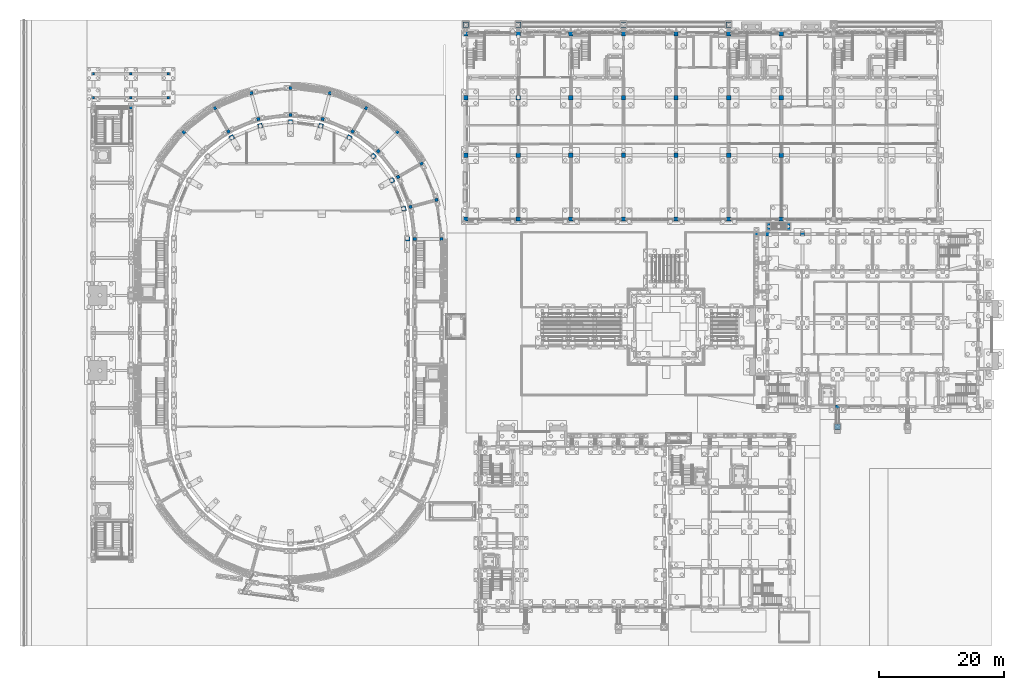
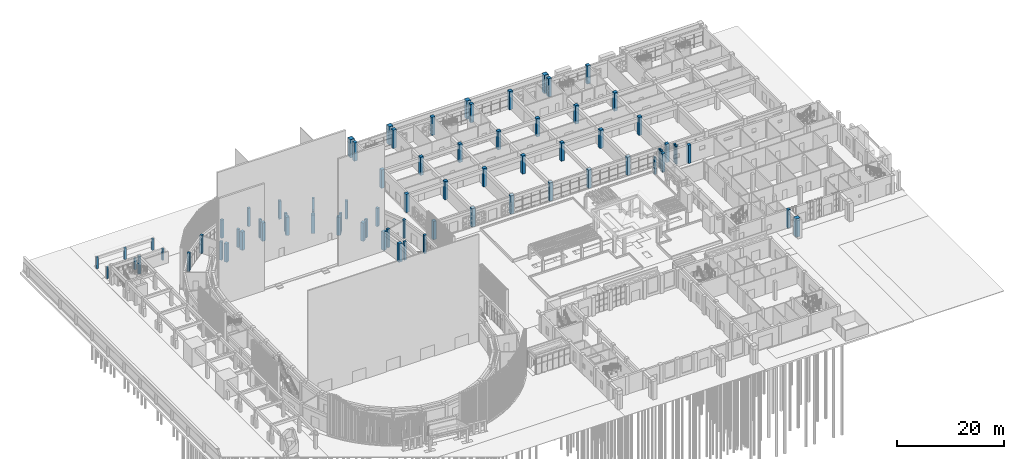
# One storey, part 13 of 112: 76 columns.
"""IFC4 building model written with IfcOpenShell, lengths in metres."""

from ifc_helpers import new_model, si_unit, direction, frame, origin, origin_2d, place, context, subcontext, project, spatial, rectangle, circle, extrude, material, material_profile, profile_set, type_object, element, save


model = new_model("IFC4")

# Units and contexts
model_context = context("Model", 3, precision=1e-05, world=origin(), true_north=direction((0.0, 1.0)))
body_context = subcontext(model_context, "Body", "Model", "MODEL_VIEW")
ifc_project = project(units=[si_unit("LENGTHUNIT", "METRE"), si_unit("AREAUNIT", "SQUARE_METRE"), si_unit("VOLUMEUNIT", "CUBIC_METRE"), si_unit("PLANEANGLEUNIT", "RADIAN"), si_unit("MASSUNIT", "GRAM", prefix="KILO")], contexts=[model_context])

# Site, building, storey
site_placement = place(None, origin())
site = spatial("IfcSite", under=ifc_project, at=site_placement, CompositionType="ELEMENT")
building_placement = place(site_placement, origin())
building = spatial("IfcBuilding", under=site, at=building_placement, Name="Wasatch Bagh Community Centre", CompositionType="ELEMENT")
storey_placement = place(building_placement, origin())
storey = spatial("IfcBuildingStorey", under=building, at=storey_placement, Name="L00", CompositionType="ELEMENT", Elevation=0.0)

# Columns
ifc_material = material(Name="Concrete C40", Category="concrete")
ifc_material_profile_1 = material_profile(ifc_material, rectangle(XDim=0.449951171875, YDim=0.449951171875, at=origin_2d()), Name="RC 450x450")
ifc_profile_set_1 = profile_set([ifc_material_profile_1], Name="Concrete C40")
column_type_1 = type_object("IfcColumnType", Name="CL-C1", PredefinedType="COLUMN", material=ifc_profile_set_1)
column_1_placement = place(storey_placement, frame((110.449951171875, 65.800048828125, 0.0), z_axis=(0.0, 0.0, 1.0), x_axis=(1.0, 0.0, 0.0)))
element("IfcColumn", 1, at=column_1_placement, inside=storey, type_object=column_type_1, Name="CL-C1 arcade column SH 3", PredefinedType="COLUMN", context=body_context, shape_type="SweptSolid", body=[
    extrude(rectangle(XDim=0.449951171875, YDim=0.449951171875, at=origin_2d()), origin(), (0.0, 0.0, 1.0), 3.85009765625),
])
ifc_material_profile_2 = material_profile(ifc_material, rectangle(XDim=0.89990234375, YDim=0.89990234375, at=origin_2d()), Name="RC 900x900")
ifc_profile_set_2 = profile_set([ifc_material_profile_2], Name="Concrete C40")
column_type_2 = type_object("IfcColumnType", Name="CL-P1", PredefinedType="COLUMN", material=ifc_profile_set_2)
for number, where, z_axis, x_axis, name in (
    (2, (123.39990234375, 35.0, 0.0), (0.0, 0.0, 1.0), (1.0, 0.0, 0.0), "CL-P1 pier SHP1"),
    (3, (64.0, 99.25, 0.0), (0.0, 0.0, 1.0), (1.0, 0.0, 0.0), "CL-P1 pier LWP01"),
    (4, (72.39990234375, 99.25, 0.0), (0.0, 0.0, 1.0), (1.0, 0.0, 0.0), "CL-P1 pier LWP02"),
    (5, (89.199951171875, 99.25, 0.0), (0.0, 0.0, 1.0), (1.0, 0.0, 0.0), "CL-P1 pier LWP03"),
    (6, (106.0, 99.25, 0.0), (0.0, 0.0, 1.0), (1.0, 0.0, 0.0), "CL-P1 pier LWP04"),
):
    element("IfcColumn", number, at=place(storey_placement, frame(where, z_axis=z_axis, x_axis=x_axis)), inside=storey, type_object=column_type_2, Name=name, PredefinedType="COLUMN", context=body_context, shape_type="SweptSolid", body=[
        extrude(rectangle(XDim=0.89990234375, YDim=0.89990234375, at=origin_2d()), origin(), (0.0, 0.0, 1.0), 4.199951171875),
    ])
ifc_material_profile_3 = material_profile(ifc_material, rectangle(XDim=0.5, YDim=0.5, at=origin_2d()), Name="RC 500x500")
ifc_profile_set_3 = profile_set([ifc_material_profile_3], Name="Concrete C40")
column_type_3 = type_object("IfcColumnType", Name="CT-C1", PredefinedType="COLUMN", material=ifc_profile_set_3)
column_2_placement = place(storey_placement, frame((10.5, 86.0, 0.0), z_axis=(0.0, 0.0, 1.0), x_axis=(1.0, 0.0, 0.0)))
element("IfcColumn", 7, at=column_2_placement, inside=storey, type_object=column_type_3, Name="CT-C1 column 13.2", PredefinedType="COLUMN", context=body_context, shape_type="SweptSolid", body=[
    extrude(rectangle(XDim=0.5, YDim=0.5, at=origin_2d()), origin(), (0.0, 0.0, 1.0), 3.949951171875),
])
ifc_material_profile_4 = material_profile(ifc_material, rectangle(XDim=0.5, YDim=0.5, at=origin_2d()), Name="RC 500x500")
ifc_profile_set_4 = profile_set([ifc_material_profile_4], Name="Concrete C40")
column_type_4 = type_object("IfcColumnType", Name="Drum column RC 500x500", PredefinedType="COLUMN", material=ifc_profile_set_4)
for number, where, z_axis, x_axis, name in (
    (8, (55.85009765625, 65.0, 0.0), (0.0, 0.0, 1.0), (1.0, 0.0, 0.0), "Column DI-E7"),
    (9, (55.173583984375, 70.137451171875, 0.0), (0.0, 0.0, 1.0), (0.965925826289, 0.258819045103, 0.0), "Column DI-N1"),
    (10, (53.190673828125, 74.925048828125, 0.0), (0.0, 0.0, 1.0), (0.866025403784, 0.5, 0.0), "Column DI-N2"),
    (11, (50.0361328125, 79.0361328125, 0.0), (0.0, 0.0, 1.0), (0.707106781187, 0.707106781187, 0.0), "Column DI-N3"),
    (12, (45.925048828125, 82.190673828125, 0.0), (0.0, 0.0, 1.0), (0.5, 0.866025403784, 0.0), "Column DI-N4"),
    (13, (41.137451171875, 84.173583984375, 0.0), (0.0, 0.0, 1.0), (0.258819045103, 0.965925826289, 0.0), "Column DI-N5"),
    (14, (36.0, 84.85009765625, 0.0), (0.0, 0.0, 1.0), (1.0, 0.0, 0.0), "Column DI-N6"),
    (15, (30.862548828125, 84.173583984375, 0.0), (0.0, 0.0, 1.0), (0.965925826289, 0.258819045103, 0.0), "Column DI-N7"),
    (16, (26.074951171875, 82.190673828125, 0.0), (0.0, 0.0, 1.0), (0.866025403784, 0.5, 0.0), "Column DI-N8"),
    (17, (60.14990234375, 65.0, 0.0), (0.0, 0.0, 1.0), (1.0, 0.0, 0.0), "Column DO-E7"),
    (18, (59.3271484375, 71.25048828125, 0.0), (0.0, 0.0, 1.0), (0.965925826289, 0.258819045103, 0.0), "Column DO-N1"),
    (19, (56.91455078125, 77.074951171875, 0.0), (0.0, 0.0, 1.0), (0.866025403784, 0.5, 0.0), "Column DO-N2"),
    (20, (53.07666015625, 82.07666015625, 0.0), (0.0, 0.0, 1.0), (0.707106781187, 0.707106781187, 0.0), "Column DO-N3"),
    (21, (48.074951171875, 85.91455078125, 0.0), (0.0, 0.0, 1.0), (0.5, 0.866025403784, 0.0), "Column DO-N4"),
    (22, (42.25048828125, 88.3271484375, 0.0), (0.0, 0.0, 1.0), (0.258819045103, 0.965925826289, 0.0), "Column DO-N5"),
    (23, (36.0, 89.14990234375, 0.0), (0.0, 0.0, 1.0), (1.0, 0.0, 0.0), "Column DO-N6"),
    (24, (29.74951171875, 88.3271484375, 0.0), (0.0, 0.0, 1.0), (0.965925826289, 0.258819045103, 0.0), "Column DO-N7"),
    (25, (23.925048828125, 85.91455078125, 0.0), (0.0, 0.0, 1.0), (0.866025403784, 0.5, 0.0), "Column DO-N8"),
    (26, (18.92333984375, 82.07666015625, 0.0), (0.0, 0.0, 1.0), (0.707106781187, 0.707106781187, 0.0), "Column DO-N9"),
):
    element("IfcColumn", number, at=place(storey_placement, frame(where, z_axis=z_axis, x_axis=x_axis)), inside=storey, type_object=column_type_4, Name=name, PredefinedType="COLUMN", context=body_context, shape_type="SweptSolid", body=[
        extrude(rectangle(XDim=0.5, YDim=0.5, at=origin_2d()), origin(), (0.0, 0.0, 1.0), 4.199951171875),
    ])
ifc_material_profile_5 = material_profile(ifc_material, rectangle(XDim=0.699951171875, YDim=0.699951171875, at=origin_2d()), Name="RC 700x700")
ifc_profile_set_5 = profile_set([ifc_material_profile_5], Name="Concrete C40")
column_type_5 = type_object("IfcColumnType", Name="LW RC 700x700", PredefinedType="COLUMN", material=ifc_profile_set_5)
for number, where, z_axis, x_axis, name in (
    (27, (64.0, 87.60009765625, 0.0), (0.0, 0.0, 1.0), (1.0, 0.0, 0.0), "W1M"),
    (28, (72.39990234375, 87.60009765625, 0.0), (0.0, 0.0, 1.0), (1.0, 0.0, 0.0), "W2M"),
    (29, (80.800048828125, 87.60009765625, 0.0), (0.0, 0.0, 1.0), (1.0, 0.0, 0.0), "W3M"),
    (30, (89.199951171875, 87.60009765625, 0.0), (0.0, 0.0, 1.0), (1.0, 0.0, 0.0), "W4M"),
    (31, (97.60009765625, 87.60009765625, 0.0), (0.0, 0.0, 1.0), (1.0, 0.0, 0.0), "W5M"),
    (32, (106.0, 87.60009765625, 0.0), (0.0, 0.0, 1.0), (1.0, 0.0, 0.0), "W6M"),
    (33, (114.39990234375, 87.60009765625, 0.0), (0.0, 0.0, 1.0), (1.0, 0.0, 0.0), "W7M"),
    (34, (64.0, 97.800048828125, 0.0), (0.0, 0.0, 1.0), (1.0, 0.0, 0.0), "W1N"),
    (35, (72.39990234375, 97.800048828125, 0.0), (0.0, 0.0, 1.0), (1.0, 0.0, 0.0), "W2N"),
    (36, (80.800048828125, 97.800048828125, 0.0), (0.0, 0.0, 1.0), (1.0, 0.0, 0.0), "W3N"),
    (37, (89.199951171875, 97.800048828125, 0.0), (0.0, 0.0, 1.0), (1.0, 0.0, 0.0), "W4N"),
    (38, (97.60009765625, 97.800048828125, 0.0), (0.0, 0.0, 1.0), (1.0, 0.0, 0.0), "W5N"),
    (39, (106.0, 97.800048828125, 0.0), (0.0, 0.0, 1.0), (1.0, 0.0, 0.0), "W6N"),
    (40, (114.39990234375, 97.800048828125, 0.0), (0.0, 0.0, 1.0), (1.0, 0.0, 0.0), "W7N"),
    (41, (64.0, 78.39990234375, 0.0), (0.0, 0.0, 1.0), (1.0, 0.0, 0.0), "W1S"),
    (42, (72.39990234375, 78.39990234375, 0.0), (0.0, 0.0, 1.0), (1.0, 0.0, 0.0), "W2S"),
    (43, (80.800048828125, 78.39990234375, 0.0), (0.0, 0.0, 1.0), (1.0, 0.0, 0.0), "W3S"),
    (44, (89.199951171875, 78.39990234375, 0.0), (0.0, 0.0, 1.0), (1.0, 0.0, 0.0), "W4S"),
    (45, (97.60009765625, 78.39990234375, 0.0), (0.0, 0.0, 1.0), (1.0, 0.0, 0.0), "W5S"),
    (46, (106.0, 78.39990234375, 0.0), (0.0, 0.0, 1.0), (1.0, 0.0, 0.0), "W6S"),
    (47, (114.39990234375, 78.39990234375, 0.0), (0.0, 0.0, 1.0), (1.0, 0.0, 0.0), "W7S"),
    (48, (64.0, 68.199951171875, 0.0), (0.0, 0.0, 1.0), (1.0, 0.0, 0.0), "W1Z"),
    (49, (72.39990234375, 68.199951171875, 0.0), (0.0, 0.0, 1.0), (1.0, 0.0, 0.0), "W2Z"),
    (50, (80.800048828125, 68.199951171875, 0.0), (0.0, 0.0, 1.0), (1.0, 0.0, 0.0), "W3Z"),
    (51, (89.199951171875, 68.199951171875, 0.0), (0.0, 0.0, 1.0), (1.0, 0.0, 0.0), "W4Z"),
    (52, (97.60009765625, 68.199951171875, 0.0), (0.0, 0.0, 1.0), (1.0, 0.0, 0.0), "W5Z"),
    (53, (106.0, 68.199951171875, 0.0), (0.0, 0.0, 1.0), (1.0, 0.0, 0.0), "W6Z"),
    (54, (114.39990234375, 68.199951171875, 0.0), (0.0, 0.0, 1.0), (1.0, 0.0, 0.0), "W7Z"),
):
    element("IfcColumn", number, at=place(storey_placement, frame(where, z_axis=z_axis, x_axis=x_axis)), inside=storey, type_object=column_type_5, Name=name, PredefinedType="COLUMN", context=body_context, shape_type="SweptSolid", body=[
        extrude(rectangle(XDim=0.699951171875, YDim=0.699951171875, at=origin_2d()), origin(), (0.0, 0.0, 1.0), 4.199951171875),
    ])
ifc_material_profile_6 = material_profile(ifc_material, rectangle(XDim=0.699951171875, YDim=0.699951171875, at=origin_2d()), Name="RC 700x700")
ifc_profile_set_6 = profile_set([ifc_material_profile_6], Name="Concrete C40")
column_type_6 = type_object("IfcColumnType", Name="MH column RC 700x700", PredefinedType="COLUMN", material=ifc_profile_set_6)
for number, where, z_axis, x_axis, name in (
    (55, (54.75, 65.0, 0.0), (0.0, 0.0, 1.0), (1.0, 0.0, 0.0), "Column E7"),
    (56, (54.111083984375, 69.852783203125, 0.0), (0.0, 0.0, 1.0), (0.965925826289, 0.258819045103, 0.0), "Column N1"),
    (57, (52.238037109375, 74.375, 0.0), (0.0, 0.0, 1.0), (0.866025403784, 0.5, 0.0), "Column N2"),
    (58, (49.25830078125, 78.25830078125, 0.0), (0.0, 0.0, 1.0), (0.707106781187, 0.707106781187, 0.0), "Column N3"),
    (59, (45.375, 81.238037109375, 0.0), (0.0, 0.0, 1.0), (0.5, 0.866025403784, 0.0), "Column N4"),
    (60, (40.852783203125, 83.111083984375, 0.0), (0.0, 0.0, 1.0), (0.258819045103, 0.965925826289, 0.0), "Column N5"),
    (61, (36.0, 83.75, 0.0), (0.0, 0.0, 1.0), (1.0, 0.0, 0.0), "Column N6"),
    (62, (31.147216796875, 83.111083984375, 0.0), (0.0, 0.0, 1.0), (0.965925826289, 0.258819045103, 0.0), "Column N7"),
    (63, (26.625, 81.238037109375, 0.0), (0.0, 0.0, 1.0), (0.866025403784, 0.5, 0.0), "Column N8"),
):
    element("IfcColumn", number, at=place(storey_placement, frame(where, z_axis=z_axis, x_axis=x_axis)), inside=storey, type_object=column_type_6, Name=name, PredefinedType="COLUMN", context=body_context, shape_type="SweptSolid", body=[
        extrude(rectangle(XDim=0.699951171875, YDim=0.699951171875, at=origin_2d()), origin(), (0.0, 0.0, 1.0), 4.199951171875),
    ])
ifc_material_profile_7 = material_profile(ifc_material, circle(Radius=0.25, at=origin_2d()), Name="RC D500")
ifc_profile_set_7 = profile_set([ifc_material_profile_7], Name="Concrete C40")
column_type_7 = type_object("IfcColumnType", Name="PA-C3", PredefinedType="COLUMN", material=ifc_profile_set_7)
for number, where, z_axis, x_axis, name in (
    (64, (112.39990234375, 66.699951171875, 0.0), (0.0, 0.0, 1.0), (1.0, 0.0, 0.0), "PA-C3 column PA3.1"),
    (65, (115.60009765625, 66.699951171875, 0.0), (0.0, 0.0, 1.0), (1.0, 0.0, 0.0), "PA-C3 column PA3.2"),
    (66, (112.39990234375, 67.300048828125, 0.0), (0.0, 0.0, 1.0), (1.0, 0.0, 0.0), "PA-C3 column PA3.3"),
    (67, (115.60009765625, 67.300048828125, 0.0), (0.0, 0.0, 1.0), (1.0, 0.0, 0.0), "PA-C3 column PA3.4"),
):
    element("IfcColumn", number, at=place(storey_placement, frame(where, z_axis=z_axis, x_axis=x_axis)), inside=storey, type_object=column_type_7, Name=name, PredefinedType="COLUMN", context=body_context, shape_type="SweptSolid", body=[
        extrude(circle(Radius=0.25, at=origin_2d()), origin(), (0.0, 0.0, 1.0), 4.199951171875),
    ])
ifc_material_profile_8 = material_profile(ifc_material, rectangle(XDim=0.60009765625, YDim=0.60009765625, at=origin_2d()), Name="RC 600x600")
ifc_profile_set_8 = profile_set([ifc_material_profile_8], Name="Concrete C40")
column_type_8 = type_object("IfcColumnType", Name="SH RC 600x600 column", PredefinedType="COLUMN", material=ifc_profile_set_8)
for number, where, z_axis, x_axis, name in (
    (68, (123.39990234375, 38.199951171875, 0.0), (0.0, 0.0, 1.0), (1.0, 0.0, 0.0), "SH.col.L00.p03"),
    (69, (112.199951171875, 65.800048828125, 0.0), (0.0, 0.0, 1.0), (1.0, 0.0, 0.0), "SH.col.L00.p08"),
    (70, (117.800048828125, 65.800048828125, 0.0), (0.0, 0.0, 1.0), (1.0, 0.0, 0.0), "SH.col.L00.p09"),
):
    element("IfcColumn", number, at=place(storey_placement, frame(where, z_axis=z_axis, x_axis=x_axis)), inside=storey, type_object=column_type_8, Name=name, PredefinedType="COLUMN", context=body_context, shape_type="SweptSolid", body=[
        extrude(rectangle(XDim=0.60009765625, YDim=0.60009765625, at=origin_2d()), origin(), (0.0, 0.0, 1.0), 4.199951171875),
    ])
ifc_material_profile_9 = material_profile(ifc_material, rectangle(XDim=0.39990234375, YDim=0.39990234375, at=origin_2d()), Name="RC 400x400")
ifc_profile_set_9 = profile_set([ifc_material_profile_9], Name="Concrete C40")
column_type_9 = type_object("IfcColumnType", Name="SITE-C1", PredefinedType="COLUMN", material=ifc_profile_set_9)
for number, where, z_axis, x_axis, name in (
    (71, (4.5, 87.60009765625, 0.0), (0.0, 0.0, 1.0), (1.0, 0.0, 0.0), "Bicycle store column 1"),
    (72, (10.5, 87.60009765625, 0.0), (0.0, 0.0, 1.0), (1.0, 0.0, 0.0), "Bicycle store column 2"),
    (73, (16.5, 87.60009765625, 0.0), (0.0, 0.0, 1.0), (1.0, 0.0, 0.0), "Bicycle store column 3"),
    (74, (4.5, 91.39990234375, 0.0), (0.0, 0.0, 1.0), (1.0, 0.0, 0.0), "Bicycle store column 4"),
    (75, (10.5, 91.39990234375, 0.0), (0.0, 0.0, 1.0), (1.0, 0.0, 0.0), "Bicycle store column 5"),
    (76, (16.5, 91.39990234375, 0.0), (0.0, 0.0, 1.0), (1.0, 0.0, 0.0), "Bicycle store column 6"),
):
    element("IfcColumn", number, at=place(storey_placement, frame(where, z_axis=z_axis, x_axis=x_axis)), inside=storey, type_object=column_type_9, Name=name, PredefinedType="COLUMN", context=body_context, shape_type="SweptSolid", body=[
        extrude(rectangle(XDim=0.39990234375, YDim=0.39990234375, at=origin_2d()), origin(), (0.0, 0.0, 1.0), 2.60009765625),
    ])

save(model, "model.ifc")
